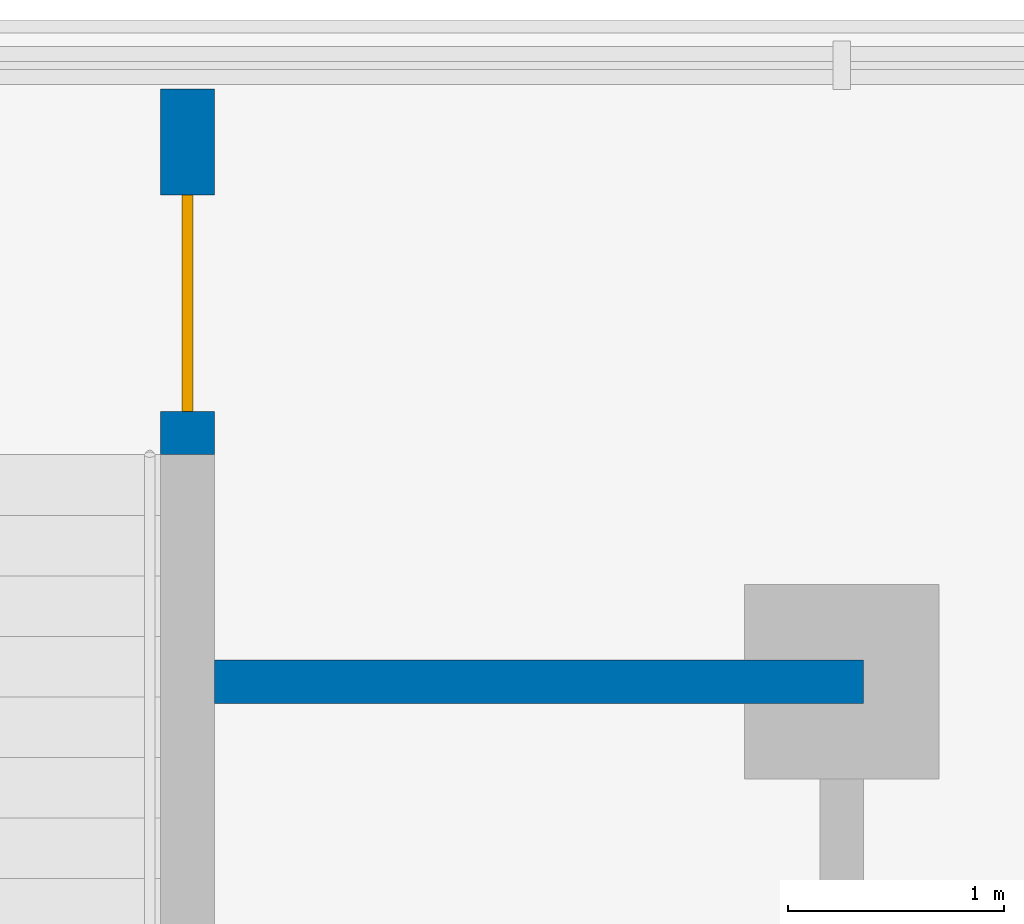
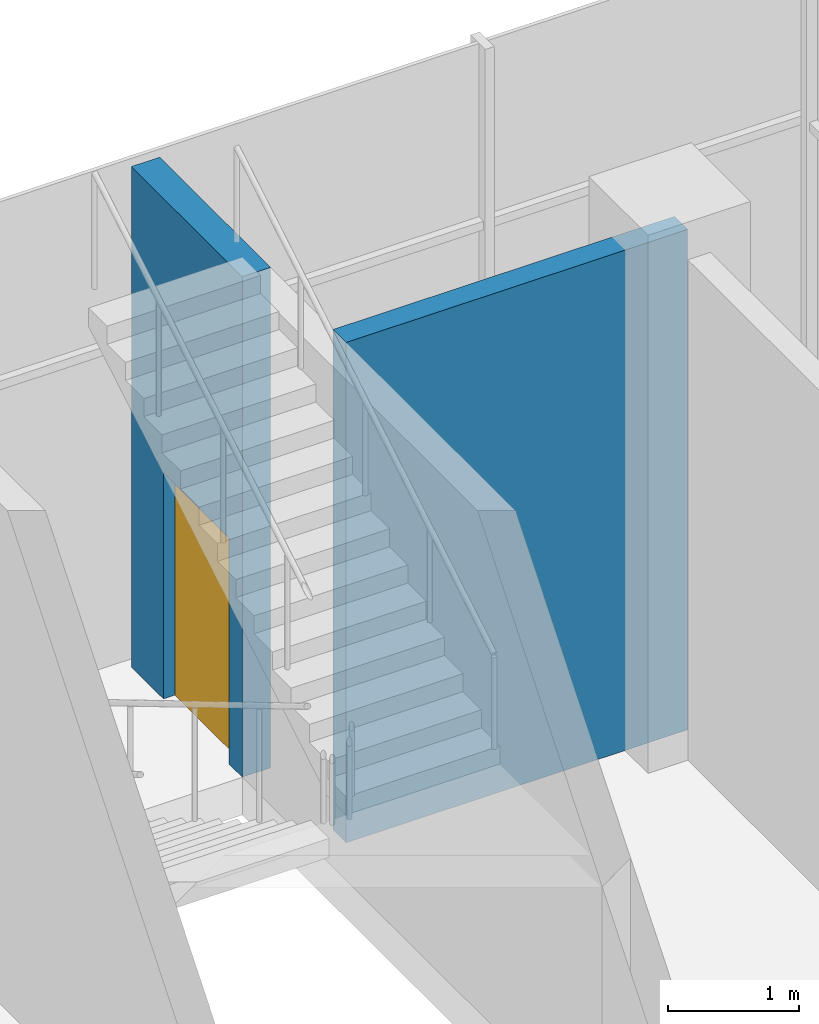
# One storey, part 19 of 22: 2 walls, 1 door, 1 opening.
"""IFC4 building model written with IfcOpenShell, lengths in metres."""

import ifcopenshell
import ifcopenshell.guid

model = None  # the IFC model being written
_history = None  # IfcOwnerHistory: only IFC2X3 demands one
_inside = {}  # id of a spatial element -> (the spatial element, [elements in it])
_under = {}  # id of a project, library or spatial element -> (it, [spatial elements below it])
_declared = {}  # id of a project -> (the project, [libraries it declares])
_typed = {}  # id of a type object -> (the type object, [elements of that type])
_made_of = {}  # id of a material, layer set ... -> (it, [elements and type objects made of it])


def new_model(schema):
    """Start an empty IFC model of exactly this schema.

    Asked for "IFC4X3", IfcOpenShell would pick the latest addendum, in which some entities
    have other attributes; the version numbers below select the first issue.
    IFC2X3 requires an IfcOwnerHistory on every rooted entity: one is made here for all.
    """
    global model, _history
    if schema == "IFC4X3":
        model = ifcopenshell.file(schema_version=(4, 3, 0, 0))
    else:
        model = ifcopenshell.file(schema=schema)
    _inside.clear()
    _under.clear()
    _declared.clear()
    _typed.clear()
    _made_of.clear()
    _history = None
    if model.schema == "IFC2X3":
        org = make("IfcOrganization", Name="unknown")
        user = make(
            "IfcPersonAndOrganization",
            ThePerson=make("IfcPerson", FamilyName="unknown"),
            TheOrganization=org,
        )
        app = make(
            "IfcApplication",
            ApplicationDeveloper=org,
            Version="unknown",
            ApplicationFullName="unknown",
            ApplicationIdentifier="unknown",
        )
        _history = make(
            "IfcOwnerHistory",
            OwningUser=user,
            OwningApplication=app,
            ChangeAction="ADDED",
            CreationDate=0,
        )
    return model


def make(cls, **values):
    """One entity of the class cls with the attributes given. An attribute that is None is left unset."""
    return model.create_entity(
        cls, **{name: value for name, value in values.items() if value is not None}
    )


def rooted(cls, **values):
    """An entity with a GlobalId (a new one), such as an element, a storey or a relation."""
    return make(cls, GlobalId=ifcopenshell.guid.new(), OwnerHistory=_history, **values)


def si_unit(unit_type, name, prefix=None):
    """IfcSIUnit, for example si_unit("LENGTHUNIT", "METRE", prefix="MILLI")."""
    return make("IfcSIUnit", UnitType=unit_type, Prefix=prefix, Name=name)


def assignment(units):
    """IfcUnitAssignment: the units of a project."""
    return None if units is None else make("IfcUnitAssignment", Units=units)


def point(xyz):
    """IfcCartesianPoint."""
    return None if xyz is None else make("IfcCartesianPoint", Coordinates=xyz)


def direction(xyz):
    """IfcDirection."""
    return None if xyz is None else make("IfcDirection", DirectionRatios=xyz)


def frame(location, z_axis=None, x_axis=None):
    """IfcAxis2Placement3D, a coordinate frame: its origin and axes. An axis left out is left unset."""
    return make(
        "IfcAxis2Placement3D",
        Location=point(location),
        Axis=direction(z_axis),
        RefDirection=direction(x_axis),
    )


def frame_2d(location, x_axis=None):
    """IfcAxis2Placement2D, a coordinate frame in the plane: its origin and x axis."""
    return make(
        "IfcAxis2Placement2D", Location=point(location), RefDirection=direction(x_axis)
    )


def origin():
    """The frame at (0, 0, 0) with its axes left unset."""
    return frame((0.0, 0.0, 0.0))


def place(relative_to, where):
    """IfcLocalPlacement: puts the frame where relative to a parent placement (None: the world)."""
    return make(
        "IfcLocalPlacement", PlacementRelTo=relative_to, RelativePlacement=where
    )


def context(
    kind, dimensions, precision=None, world=None, true_north=None, identifier=None
):
    """IfcGeometricRepresentationContext, for example the 3D "Model" context."""
    return make(
        "IfcGeometricRepresentationContext",
        ContextIdentifier=identifier,
        ContextType=kind,
        CoordinateSpaceDimension=dimensions,
        Precision=precision,
        WorldCoordinateSystem=world,
        TrueNorth=true_north,
    )


def subcontext(parent, identifier, kind, view, scale=None):
    """IfcGeometricRepresentationSubContext, for example "Body" below "Model"."""
    return make(
        "IfcGeometricRepresentationSubContext",
        ContextIdentifier=identifier,
        ContextType=kind,
        ParentContext=parent,
        TargetScale=scale,
        TargetView=view,
    )


def project(units=None, contexts=None):
    """IfcProject with its units and contexts."""
    return rooted(
        "IfcProject",
        Name="project",
        RepresentationContexts=contexts,
        UnitsInContext=assignment(units),
    )


def spatial(cls, under=None, at=None, **own):
    """A site, building, storey or space (cls), placed at a placement, below another one or the project."""
    s = rooted(cls, ObjectPlacement=at, **own)
    if under is not None:
        _under.setdefault(under.id(), (under, []))[1].append(s)
    return s


def profile(cls, at=None, kind="AREA", **sizes):
    """A parametric profile (cls). Its sizes go by their IFC names, for example OverallWidth=200.0."""
    return make(cls, ProfileType=kind, Position=at, **sizes)


def rectangle(**sizes):
    """IfcRectangleProfileDef."""
    return profile("IfcRectangleProfileDef", **sizes)


def extrude(swept, where, along, depth):
    """IfcExtrudedAreaSolid: the profile swept, set in the frame where, extruded along a direction by depth."""
    return make(
        "IfcExtrudedAreaSolid",
        SweptArea=swept,
        Position=where,
        ExtrudedDirection=direction(along),
        Depth=depth,
    )


def shape(context_of_items, identifier, shape_type, items):
    """IfcShapeRepresentation: the items that make up one representation, for example the "Body"."""
    return make(
        "IfcShapeRepresentation",
        ContextOfItems=context_of_items,
        RepresentationIdentifier=identifier,
        RepresentationType=shape_type,
        Items=items,
    )


def material(Name=None, Category=None):
    """IfcMaterial."""
    return make("IfcMaterial", Name=Name, Category=Category)


def layer(
    of_material, thickness, ventilated=None, Name=None, Category=None, Priority=None
):
    """IfcMaterialLayer: one layer of a wall or slab, of a material (None: an air gap)."""
    return make(
        "IfcMaterialLayer",
        Material=of_material,
        LayerThickness=thickness,
        IsVentilated=ventilated,
        Name=Name,
        Category=Category,
        Priority=Priority,
    )


def layer_set(layers, Name=None):
    """IfcMaterialLayerSet."""
    return make("IfcMaterialLayerSet", MaterialLayers=layers, LayerSetName=Name)


def made_of(thing, what):
    """Note that an element or type object is made of a material, layer set ...; save() writes the relation."""
    if what is not None:
        _made_of.setdefault(what.id(), (what, []))[1].append(thing)
    return thing


def type_object(cls, material=None, **own):
    """A type object (cls), such as IfcWallType, which elements share."""
    return made_of(rooted(cls, **own), material)


def element(
    cls,
    number,
    at=None,
    inside=None,
    cuts=None,
    type_object=None,
    material=None,
    context=None,
    identifier="Body",
    shape_type=None,
    held_by="IfcProductDefinitionShape",
    body=None,
    shapes=None,
    **own,
):
    """One element of the class cls, such as IfcWall. Its Tag is "e" and its number.

    at: its placement. inside: the storey or other place that contains it. cuts: it is an
    opening in that element (IfcRelVoidsElement). A single representation is given by context,
    identifier, shape_type and body (its items); several are given by shapes. held_by: the class
    of the entity that holds the representations. save() writes the other relations.
    """
    e = rooted(cls, Tag="e%d" % number, ObjectPlacement=at, **own)
    if body is not None:
        shapes = [shape(context, identifier, shape_type, body)]
    if shapes is not None:
        e.Representation = make(held_by, Representations=shapes)
    if inside is not None:
        _inside.setdefault(inside.id(), (inside, []))[1].append(e)
    if cuts is not None:
        rooted(
            "IfcRelVoidsElement", RelatingBuildingElement=cuts, RelatedOpeningElement=e
        )
    if type_object is not None:
        _typed.setdefault(type_object.id(), (type_object, []))[1].append(e)
    return made_of(e, material)


def fill(opening, filler):
    """IfcRelFillsElement: the door or window that sits in an opening."""
    return rooted(
        "IfcRelFillsElement",
        RelatingOpeningElement=opening,
        RelatedBuildingElement=filler,
    )


def aggregate(whole, parts):
    """IfcRelAggregates: a whole, such as a stair, and the parts it consists of."""
    return rooted("IfcRelAggregates", RelatingObject=whole, RelatedObjects=parts)


def save(model, path):
    """Write the relations noted so far, then the file.

    IfcRelAggregates (storeys below a building ...), IfcRelContainedInSpatialStructure (elements
    in a storey), IfcRelDefinesByType, IfcRelAssociatesMaterial and IfcRelDeclares: one each for
    every whole, place, type object, material and project.
    """
    for whole, parts in _under.values():
        aggregate(whole, parts)
    for where, things in _inside.values():
        rooted(
            "IfcRelContainedInSpatialStructure",
            RelatedElements=things,
            RelatingStructure=where,
        )
    for kind, things in _typed.values():
        rooted("IfcRelDefinesByType", RelatedObjects=things, RelatingType=kind)
    for what, things in _made_of.values():
        rooted("IfcRelAssociatesMaterial", RelatedObjects=things, RelatingMaterial=what)
    for by, libraries in _declared.values():
        rooted("IfcRelDeclares", RelatingContext=by, RelatedDefinitions=libraries)
    model.write(path)


model = new_model("IFC4")

# Units and contexts
model_context = context("Model", 3, precision=1e-05, world=origin(), true_north=direction((0.0, 1.0)))
body_context = subcontext(model_context, "Body", "Model", "MODEL_VIEW")
ifc_project = project(units=[si_unit("LENGTHUNIT", "METRE"), si_unit("AREAUNIT", "SQUARE_METRE"), si_unit("VOLUMEUNIT", "CUBIC_METRE"), si_unit("PLANEANGLEUNIT", "RADIAN"), si_unit("MASSUNIT", "GRAM", prefix="KILO")], contexts=[model_context])

# Site, building, storey
site_placement = place(None, origin())
site = spatial("IfcSite", under=ifc_project, at=site_placement, CompositionType="ELEMENT")
building_placement = place(site_placement, origin())
building = spatial("IfcBuilding", under=site, at=building_placement, Name="Finial Court Residences", CompositionType="ELEMENT")
storey_placement = place(building_placement, frame((0.0, 0.0, 18.5)))
storey = spatial("IfcBuildingStorey", under=building, at=storey_placement, Name="L03", CompositionType="ELEMENT", Elevation=18.5)

# Wall
ifc_material_1 = material(Name="Gypsum board")
ifc_layer_1 = layer(ifc_material_1, 0.02490234375)
ifc_material_2 = material(Name="Acoustic mineral wool in double frame")
ifc_layer_2 = layer(ifc_material_2, 0.14990234375)
ifc_layer_3 = layer(ifc_material_1, 0.02490234375)
ifc_layer_set_1 = layer_set([ifc_layer_1, ifc_layer_2, ifc_layer_3], Name="Corridor wall 200, 1 hour")
wall_type_1 = type_object("IfcWallType", Name="Corridor wall 200, 1 hour", PredefinedType="PARTITIONING", material=ifc_layer_set_1)
wall_1_placement = place(storey_placement, frame((55.60009765625, 31.5, 0.0), z_axis=(0.0, 0.0, 1.0), x_axis=(1.0, 0.0, 0.0)))
element("IfcWall", 1, at=wall_1_placement, inside=storey, type_object=wall_type_1, Name="Partition L03-039", PredefinedType="PARTITIONING", context=body_context, shape_type="SweptSolid", body=[
    extrude(rectangle(XDim=3.0, YDim=0.199951171875, at=frame_2d((1.5, 0.0))), origin(), (0.0, 0.0, 1.0), 4.64990234375),
])

# Wall, opening, door
ifc_material_3 = material(Name="Concrete C50/60", Category="concrete")
ifc_layer_4 = layer(ifc_material_3, 0.25)
ifc_layer_set_2 = layer_set([ifc_layer_4], Name="Stair enclosure wall 250 Concrete C50/60")
wall_type_2 = type_object("IfcWallType", Name="Stair enclosure wall 250 Concrete C50/60", PredefinedType="SHEAR", material=ifc_layer_set_2)
wall_2_placement = place(storey_placement, frame((55.47509765625, 32.550048828125, 0.0), z_axis=(0.0, 0.0, 1.0), x_axis=(0.0, 1.0, 0.0)))
wall_2 = element("IfcWall", 2, at=wall_2_placement, inside=storey, type_object=wall_type_2, Name="Exit Stair 5 enclosure wall L03-E1", PredefinedType="SHEAR", context=body_context, shape_type="SweptSolid", body=[
    extrude(rectangle(XDim=1.68994140625, YDim=0.25, at=frame_2d((0.844970703125, 0.0))), origin(), (0.0, 0.0, 1.0), 4.64990234375),
])
opening_placement = place(wall_2_placement, frame((0.199951171875, 0.0, 0.0)))
opening = element("IfcOpeningElement", 3, at=opening_placement, cuts=wall_2, Name="Opening L03-S5E", PredefinedType="OPENING", context=body_context, shape_type="SweptSolid", body=[
    extrude(rectangle(XDim=1.0, YDim=2.10009765625, at=frame_2d((0.5, 1.050048828125))), frame((0.0, 0.135009765625, 0.0), z_axis=(0.0, -1.0, 0.0), x_axis=(1.0, 0.0, 0.0)), (0.0, 0.0, 1.0), 0.27001953125),
])
ifc_material_4 = material(Name="Steel fire door", Category="steel")
door_type = type_object("IfcDoorType", Name="Stair door 1000 x 2100 EI 90", OperationType="NOTDEFINED", PredefinedType="DOOR", material=ifc_material_4)
door_placement = place(opening_placement, origin())
door = element("IfcDoor", 4, at=door_placement, inside=storey, type_object=door_type, Name="Exit Stair 5 east door L03", OperationType="SINGLE_SWING_RIGHT", OverallHeight=2.10009765625, OverallWidth=1.0, PredefinedType="DOOR", context=body_context, shape_type="SweptSolid", body=[
    extrude(rectangle(XDim=1.0, YDim=2.10009765625, at=frame_2d((0.5, 1.050048828125))), frame((0.0, 0.02490234375, 0.0), z_axis=(0.0, -1.0, 0.0), x_axis=(1.0, 0.0, 0.0)), (0.0, 0.0, 1.0), 0.050048828125),
])
fill(opening, door)

save(model, "model.ifc")
